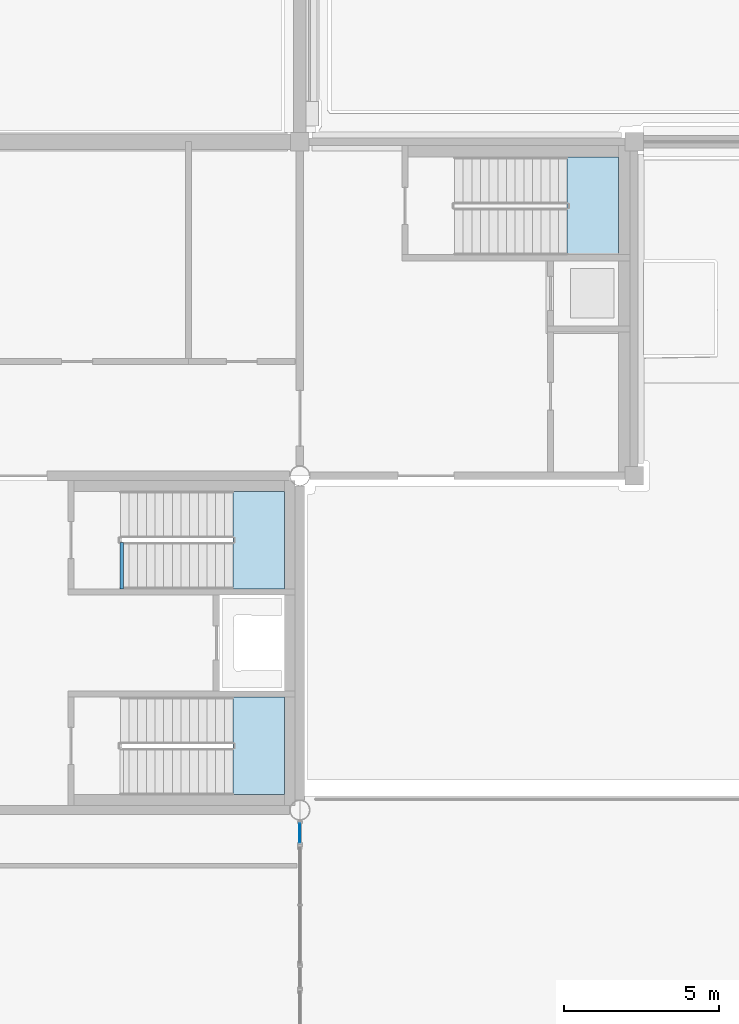
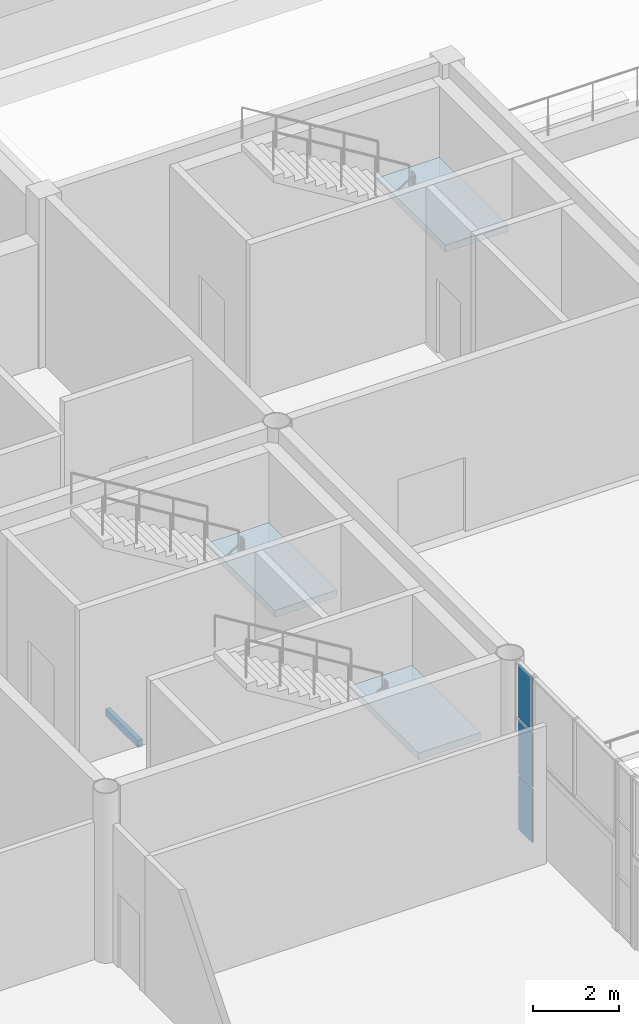
# One storey, part 42 of 91: 4 slabs, 3 plates, 4 elements without a shape of their own.
"""IFC4 building model written with IfcOpenShell, lengths in metres."""

from ifc_helpers import new_model, si_unit, direction, frame, origin, origin_2d, place, context, subcontext, project, spatial, polyline, rectangle, outline, extrude, material, layer, layer_set, type_object, element, aggregate, save


model = new_model("IFC4")

# Units and contexts
model_context = context("Model", 3, precision=1e-05, world=origin(), true_north=direction((0.0, 1.0)))
body_context = subcontext(model_context, "Body", "Model", "MODEL_VIEW")
ifc_project = project(units=[si_unit("LENGTHUNIT", "METRE"), si_unit("AREAUNIT", "SQUARE_METRE"), si_unit("VOLUMEUNIT", "CUBIC_METRE"), si_unit("PLANEANGLEUNIT", "RADIAN"), si_unit("MASSUNIT", "GRAM", prefix="KILO")], contexts=[model_context])

# Site, building, storey
site_placement = place(None, origin())
site = spatial("IfcSite", under=ifc_project, at=site_placement, CompositionType="ELEMENT")
building_placement = place(site_placement, origin())
building = spatial("IfcBuilding", under=site, at=building_placement, Name="Magnolia Steps Interchange", CompositionType="ELEMENT")
storey_placement = place(building_placement, origin())
storey = spatial("IfcBuildingStorey", under=building, at=storey_placement, Name="L00", CompositionType="ELEMENT", Elevation=0.0)

# Slab
ifc_material_1 = material(Name="Concrete C35", Category="concrete")
ifc_layer_1 = layer(ifc_material_1, 0.199951171875)
ifc_layer_set_1 = layer_set([ifc_layer_1], Name="Core floor nib 200")
slab_type_1 = type_object("IfcSlabType", Name="Core floor nib 200", PredefinedType="FLOOR", material=ifc_layer_set_1)
slab_1_placement = place(storey_placement, frame((0.0, 0.0, -0.199951171875)))
element("IfcSlab", 1, at=slab_1_placement, inside=storey, type_object=slab_type_1, Name="L00 core floor nib HC2", PredefinedType="FLOOR", context=body_context, shape_type="SweptSolid", body=[
    extrude(outline(polyline([(112.179931640625, 83.449951171875), (112.300048828125, 83.449951171875), (112.300048828125, 81.949951171875), (112.179931640625, 81.949951171875), (112.179931640625, 83.449951171875)])), origin(), (0.0, 0.0, 1.0), 0.199951171875),
])

# Stair, slab
ifc_material_2 = material(Name="Concrete C40", Category="concrete")
stair_type = type_object("IfcStairType", Name="Exit stair 1500", PredefinedType="HALF_TURN_STAIR", material=ifc_material_2)
stair_1_placement = place(storey_placement, origin())
stair_1 = element("IfcStair", 2, at=stair_1_placement, inside=storey, type_object=stair_type, Name="L00 Stair 3", PredefinedType="HALF_TURN_STAIR")
ifc_material_3 = material(Name="Concrete C40", Category="concrete")
ifc_layer_2 = layer(ifc_material_3, 0.199951171875)
ifc_layer_set_2 = layer_set([ifc_layer_2], Name="Exit stair landing 200")
slab_type_2 = type_object("IfcSlabType", Name="Exit stair landing 200", PredefinedType="LANDING", material=ifc_layer_set_2)
slab_2_placement = place(storey_placement, frame((0.0, 0.0, 2.199951171875)))
slab_2 = element("IfcSlab", 3, at=slab_2_placement, type_object=slab_type_2, Name="Stair 3 landing 1", PredefinedType="LANDING", context=body_context, shape_type="SweptSolid", body=[
    extrude(outline(polyline([(115.840087890625, 81.949951171875), (117.5, 81.949951171875), (117.5, 85.10009765625), (115.840087890625, 85.10009765625), (115.840087890625, 81.949951171875)])), origin(), (0.0, 0.0, 1.0), 0.199951171875),
])
aggregate(stair_1, [slab_2])

stair_2_placement = place(storey_placement, origin())
stair_2 = element("IfcStair", 4, at=stair_2_placement, inside=storey, type_object=stair_type, Name="L00 Stair 4", PredefinedType="HALF_TURN_STAIR")
slab_3_placement = place(storey_placement, frame((0.0, 0.0, 2.199951171875)))
slab_3 = element("IfcSlab", 5, at=slab_3_placement, type_object=slab_type_2, Name="Stair 4 landing 1", PredefinedType="LANDING", context=body_context, shape_type="SweptSolid", body=[
    extrude(outline(polyline([(115.840087890625, 75.300048828125), (117.5, 75.300048828125), (117.5, 78.449951171875), (115.840087890625, 78.449951171875), (115.840087890625, 75.300048828125)])), origin(), (0.0, 0.0, 1.0), 0.199951171875),
])
aggregate(stair_2, [slab_3])

stair_3_placement = place(storey_placement, origin())
stair_3 = element("IfcStair", 6, at=stair_3_placement, inside=storey, type_object=stair_type, Name="L00 Stair 27", PredefinedType="HALF_TURN_STAIR")
slab_4_placement = place(storey_placement, frame((0.0, 0.0, 2.199951171875)))
slab_4 = element("IfcSlab", 7, at=slab_4_placement, type_object=slab_type_2, Name="Stair 27 landing 1", PredefinedType="LANDING", context=body_context, shape_type="SweptSolid", body=[
    extrude(outline(polyline([(126.639892578125, 92.75), (128.300048828125, 92.75), (128.300048828125, 95.89990234375), (126.639892578125, 95.89990234375), (126.639892578125, 92.75)])), origin(), (0.0, 0.0, 1.0), 0.199951171875),
])
aggregate(stair_3, [slab_4])

# Curtain wall, plates
ifc_material_4 = material(Name="Powder-coated aluminium and glass", Category="aluminium")
ifc_layer_3 = layer(ifc_material_4, 0.14990234375)
ifc_layer_set_3 = layer_set([ifc_layer_3], Name="Glazed hall curtain wall")
curtain_wall_type = type_object("IfcCurtainWallType", Name="Glazed hall curtain wall", PredefinedType="NOTDEFINED", material=ifc_layer_set_3)
curtain_wall_placement = place(storey_placement, origin())
curtain_wall = element("IfcCurtainWall", 8, at=curtain_wall_placement, inside=storey, type_object=curtain_wall_type, Name="Hall glazing E3z L00", PredefinedType="NOTDEFINED")
ifc_material_5 = material(Name="Laminated glass", Category="glass")
ifc_layer_4 = layer(ifc_material_5, 0.028076171875)
ifc_layer_set_4 = layer_set([ifc_layer_4], Name="Glass panel 28")
plate_type = type_object("IfcPlateType", Name="Glass panel 28", PredefinedType="CURTAIN_PANEL", material=ifc_layer_set_4)
plate_1_placement = place(storey_placement, frame((118.0, 74.06005859375, 0.06005859375), z_axis=(0.0, 0.0, 1.0), x_axis=(0.0, 1.0, 0.0)))
plate_1 = element("IfcPlate", 9, at=plate_1_placement, type_object=plate_type, Name="CW1 panel 1.1", PredefinedType="CURTAIN_PANEL", context=body_context, shape_type="SweptSolid", body=[
    extrude(rectangle(XDim=0.639892578125, YDim=0.028076171875, at=origin_2d()), origin(), (0.0, 0.0, 1.0), 1.510009765625),
])
plate_2_placement = place(storey_placement, frame((118.0, 74.06005859375, 1.6298828125), z_axis=(0.0, 0.0, 1.0), x_axis=(0.0, 1.0, 0.0)))
plate_2 = element("IfcPlate", 10, at=plate_2_placement, type_object=plate_type, Name="CW1 panel 1.2", PredefinedType="CURTAIN_PANEL", context=body_context, shape_type="SweptSolid", body=[
    extrude(rectangle(XDim=0.639892578125, YDim=0.028076171875, at=origin_2d()), origin(), (0.0, 0.0, 1.0), 1.5400390625),
])
plate_3_placement = place(storey_placement, frame((118.0, 74.06005859375, 3.22998046875), z_axis=(0.0, 0.0, 1.0), x_axis=(0.0, 1.0, 0.0)))
plate_3 = element("IfcPlate", 11, at=plate_3_placement, type_object=plate_type, Name="CW1 panel 1.3", PredefinedType="CURTAIN_PANEL", context=body_context, shape_type="SweptSolid", body=[
    extrude(rectangle(XDim=0.639892578125, YDim=0.028076171875, at=origin_2d()), origin(), (0.0, 0.0, 1.0), 1.510009765625),
])
aggregate(curtain_wall, [plate_1, plate_2, plate_3])

save(model, "model.ifc")
